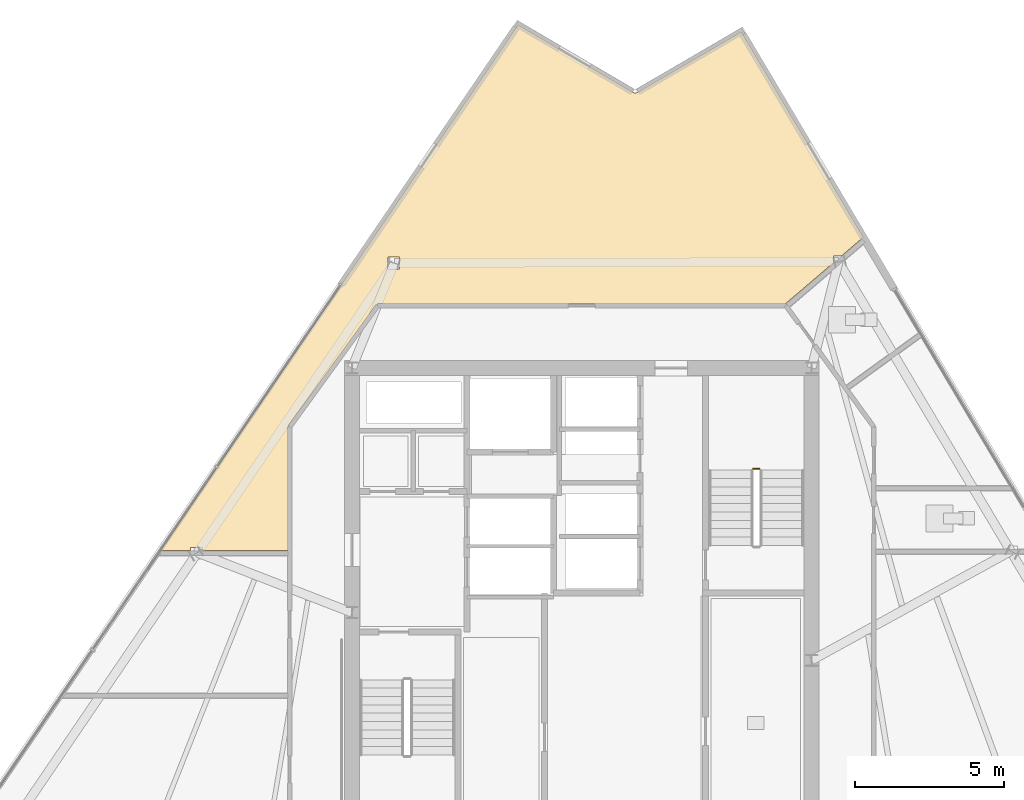
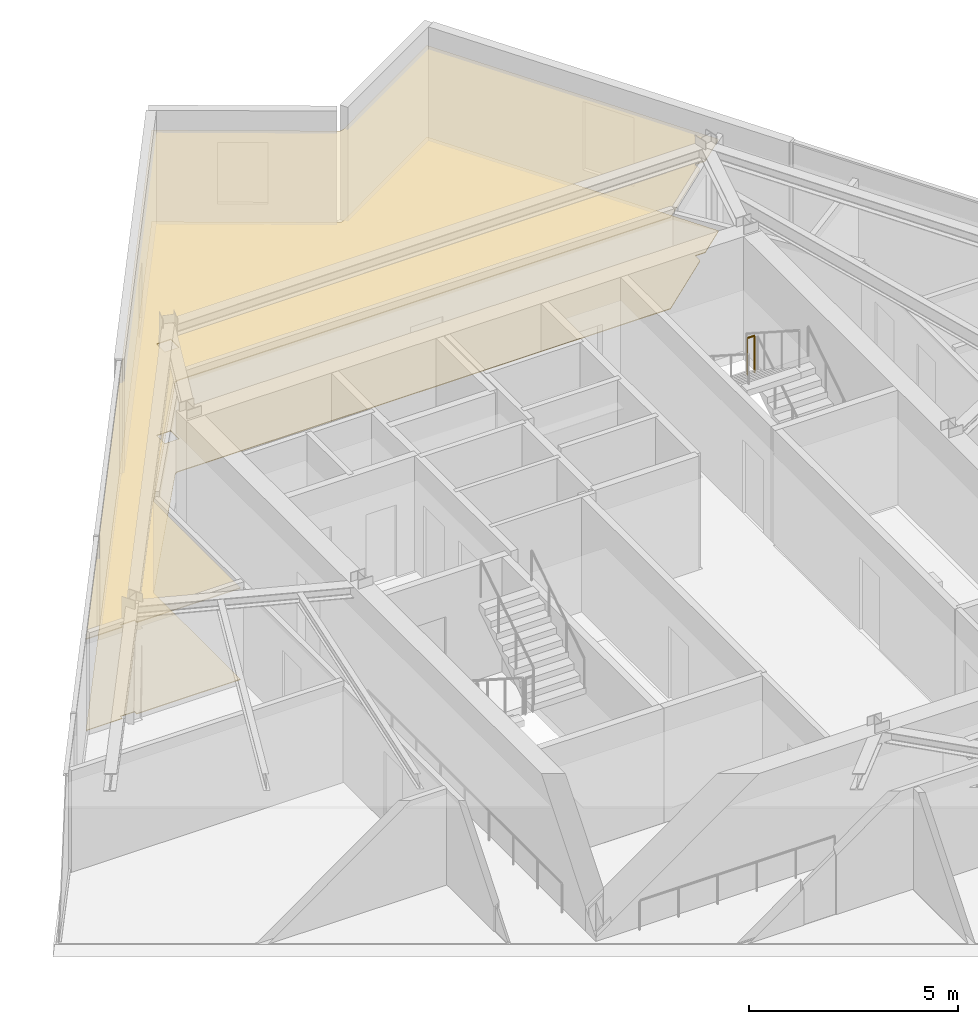
# One storey, part 11 of 13: 2 coverings, 1 railing.
"""IFC4 building model written with IfcOpenShell, lengths in metres."""

from ifc_helpers import new_model, si_unit, direction, frame, origin, origin_2d, place, context, subcontext, project, spatial, polyline, circle, outline, extrude, material, layer, layer_set, type_object, element, save


model = new_model("IFC4")

# Units and contexts
model_context = context("Model", 3, precision=1e-05, world=origin(), true_north=direction((0.0, 1.0)))
body_context = subcontext(model_context, "Body", "Model", "MODEL_VIEW")
ifc_project = project(units=[si_unit("LENGTHUNIT", "METRE"), si_unit("AREAUNIT", "SQUARE_METRE"), si_unit("VOLUMEUNIT", "CUBIC_METRE"), si_unit("PLANEANGLEUNIT", "RADIAN"), si_unit("MASSUNIT", "GRAM", prefix="KILO")], contexts=[model_context])

# Site, building, storey
site_placement = place(None, origin())
site = spatial("IfcSite", under=ifc_project, at=site_placement, CompositionType="ELEMENT")
building_placement = place(site_placement, origin())
building = spatial("IfcBuilding", under=site, at=building_placement, Name="Savorim Split Tower", CompositionType="ELEMENT")
storey_placement = place(building_placement, frame((0.0, 0.0, 223.5)))
storey = spatial("IfcBuildingStorey", under=building, at=storey_placement, Name="L59", CompositionType="ELEMENT", Elevation=223.5)

# Coverings
ifc_material_1 = material(Name="Mineral Fibre Acoustic Ceiling")
ifc_layer_1 = layer(ifc_material_1, 0.02490234375)
ifc_layer_set_1 = layer_set([ifc_layer_1], Name="COV-CEIL-25")
covering_type_1 = type_object("IfcCoveringType", Name="COV-CEIL-25", PredefinedType="CEILING", material=ifc_layer_set_1)
covering_1_placement = place(storey_placement, frame((0.0, 0.0, 2.669921875)))
element("IfcCovering", 1, at=covering_1_placement, inside=storey, type_object=covering_type_1, Name="L59 Co-Working Commons Acoustic Ceiling", PredefinedType="CEILING", context=body_context, shape_type="SweptSolid", body=[
    extrude(outline(polyline([(1.748779296875, 19.415283203125), (1.73828125, 19.419921875), (1.72802734375, 19.425048828125), (-2.13427734375, 21.695068359375), (-14.113037109375, 4.08642578125), (-13.106201171875, 4.08642578125), (-13.106201171875, 4.1875), (-12.712158203125, 4.1875), (-12.712158203125, 4.08642578125), (-9.840087890625, 4.08642578125), (-9.840087890625, 8.199951171875), (-9.839111328125, 8.214599609375), (-9.8369140625, 8.22900390625), (-9.833251953125, 8.2431640625), (-9.827880859375, 8.2568359375), (-9.8212890625, 8.27001953125), (-9.813232421875, 8.2822265625), (-6.913330078125, 12.2822265625), (-6.905029296875, 12.29248046875), (-6.89599609375, 12.302001953125), (-6.885986328125, 12.310546875), (-6.875, 12.318115234375), (-6.863525390625, 12.32470703125), (-6.8515625, 12.330078125), (-6.839111328125, 12.33447265625), (-6.826416015625, 12.33740234375), (-6.813232421875, 12.33935546875), (-6.800048828125, 12.340087890625), (6.800048828125, 12.340087890625), (6.813232421875, 12.33935546875), (6.813720703125, 12.33935546875), (8.427490234375, 13.71728515625), (8.427490234375, 13.95654296875), (8.707763671875, 13.95654296875), (9.385498046875, 14.53515625), (9.4365234375, 14.57861328125), (5.343994140625, 21.461669921875), (1.84912109375, 19.4248046875), (1.839111328125, 19.419677734375), (1.828369140625, 19.415283203125), (1.817138671875, 19.412109375), (1.805908203125, 19.409912109375), (1.79443359375, 19.40869140625), (1.78271484375, 19.40869140625), (1.771240234375, 19.409912109375), (1.760009765625, 19.412109375), (1.748779296875, 19.415283203125)]), holes=[polyline([(-6.099609375, 13.90771484375), (-6.49365234375, 13.90771484375), (-6.49365234375, 13.515625), (-6.099609375, 13.515625), (-6.099609375, 13.90771484375)])]), origin(), (0.0, 0.0, 1.0), 0.025146484375),
])
ifc_material_2 = material(Name="Porcelain Stoneware Flooring", Category="masonry")
ifc_layer_2 = layer(ifc_material_2, 0.02001953125)
ifc_layer_set_2 = layer_set([ifc_layer_2], Name="COV-FLOR-20")
covering_type_2 = type_object("IfcCoveringType", Name="COV-FLOR-20", PredefinedType="FLOORING", material=ifc_layer_set_2)
covering_2_placement = place(storey_placement, origin())
element("IfcCovering", 2, at=covering_2_placement, inside=storey, type_object=covering_type_2, Name="L59 Co-Working Commons Porcelain Flooring", PredefinedType="FLOORING", context=body_context, shape_type="SweptSolid", body=[
    extrude(outline(polyline([(1.748779296875, 19.415283203125), (1.73828125, 19.419921875), (1.72802734375, 19.425048828125), (-2.13427734375, 21.695068359375), (-14.113037109375, 4.08642578125), (-13.106201171875, 4.08642578125), (-13.106201171875, 4.1875), (-12.712158203125, 4.1875), (-12.712158203125, 4.08642578125), (-9.840087890625, 4.08642578125), (-9.840087890625, 8.199951171875), (-9.839111328125, 8.214599609375), (-9.8369140625, 8.22900390625), (-9.833251953125, 8.2431640625), (-9.827880859375, 8.2568359375), (-9.8212890625, 8.27001953125), (-9.813232421875, 8.2822265625), (-6.913330078125, 12.2822265625), (-6.905029296875, 12.29248046875), (-6.89599609375, 12.302001953125), (-6.885986328125, 12.310546875), (-6.875, 12.318115234375), (-6.863525390625, 12.32470703125), (-6.8515625, 12.330078125), (-6.839111328125, 12.33447265625), (-6.826416015625, 12.33740234375), (-6.813232421875, 12.33935546875), (-6.800048828125, 12.340087890625), (6.800048828125, 12.340087890625), (6.813232421875, 12.33935546875), (6.813720703125, 12.33935546875), (8.427490234375, 13.71728515625), (8.427490234375, 13.95654296875), (8.707763671875, 13.95654296875), (9.385498046875, 14.53515625), (9.4365234375, 14.57861328125), (5.343994140625, 21.461669921875), (1.84912109375, 19.4248046875), (1.839111328125, 19.419677734375), (1.828369140625, 19.415283203125), (1.817138671875, 19.412109375), (1.805908203125, 19.409912109375), (1.79443359375, 19.40869140625), (1.78271484375, 19.40869140625), (1.771240234375, 19.409912109375), (1.760009765625, 19.412109375), (1.748779296875, 19.415283203125)]), holes=[polyline([(-6.099609375, 13.90771484375), (-6.49365234375, 13.90771484375), (-6.49365234375, 13.515625), (-6.099609375, 13.515625), (-6.099609375, 13.90771484375)])]), origin(), (0.0, 0.0, 1.0), 0.02001953125),
])

# Railing
ifc_material_3 = material(Name="Galvanised Painted Steel Balustrade", Category="steel")
railing_type = type_object("IfcRailingType", Name="RLG-STG-1100", PredefinedType="BALUSTRADE", material=ifc_material_3)
railing_placement = place(storey_placement, frame((5.949951171875, 6.820068359375, 1.800048828125)))
element("IfcRailing", 3, at=railing_placement, inside=storey, type_object=railing_type, Name="L59 ST-2 stair guard 2", PredefinedType="BALUSTRADE", context=body_context, shape_type="SweptSolid", body=[
    extrude(circle(Radius=0.02392578125, at=origin_2d()), frame((0.0, 0.0, 1.076171875), z_axis=(-1.0, 0.0, 0.0), x_axis=(0.0, -1.0, 0.0)), (0.0, 0.0, 1.0), 0.199951171875),
    extrude(circle(Radius=0.02099609375, at=origin_2d()), origin(), (0.0, 0.0, 1.0), 1.052001953125),
    extrude(circle(Radius=0.02099609375, at=origin_2d()), frame((-0.199951171875, 0.0, 0.0)), (0.0, 0.0, 1.0), 1.052001953125),
])

save(model, "model.ifc")
